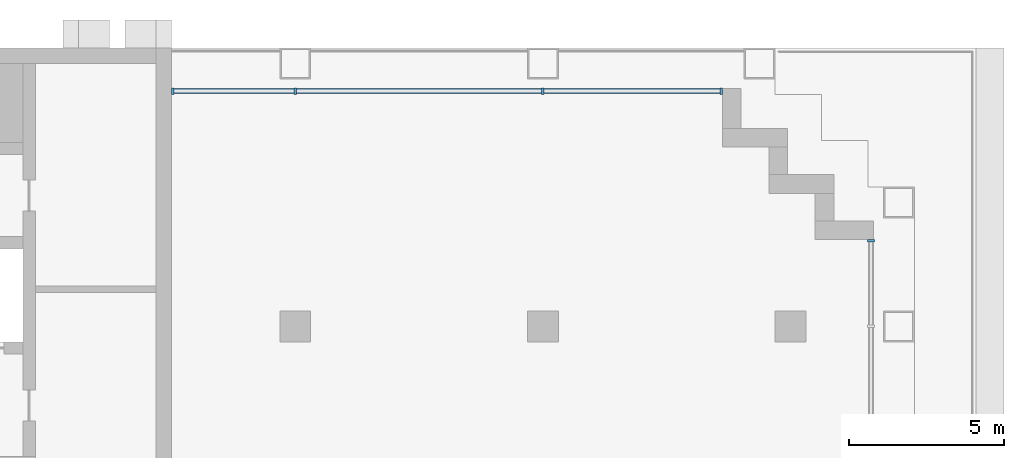
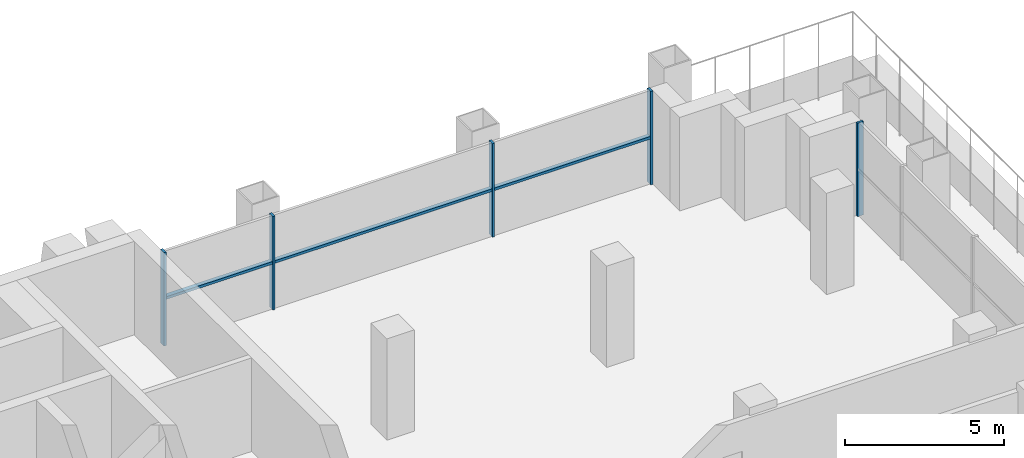
# One storey, part 7 of 16: 8 members, 2 elements without a shape of their own.
"""IFC4 building model written with IfcOpenShell, lengths in metres."""

from ifc_helpers import new_model, si_unit, direction, frame, origin, origin_2d, place, context, subcontext, project, spatial, rectangle, extrude, material, material_profile, profile_set, type_object, element, aggregate, save


model = new_model("IFC4")

# Units and contexts
model_context = context("Model", 3, precision=1e-05, world=origin(), true_north=direction((0.0, 1.0)))
body_context = subcontext(model_context, "Body", "Model", "MODEL_VIEW")
ifc_project = project(units=[si_unit("LENGTHUNIT", "METRE"), si_unit("AREAUNIT", "SQUARE_METRE"), si_unit("VOLUMEUNIT", "CUBIC_METRE"), si_unit("PLANEANGLEUNIT", "RADIAN"), si_unit("MASSUNIT", "GRAM", prefix="KILO")], contexts=[model_context])

# Site, building, storey
site_placement = place(None, origin())
site = spatial("IfcSite", under=ifc_project, at=site_placement, CompositionType="ELEMENT")
building_placement = place(site_placement, origin())
building = spatial("IfcBuilding", under=site, at=building_placement, Name="Vidyagriha Tower", CompositionType="ELEMENT")
storey_placement = place(building_placement, frame((0.0, 0.0, 26.0)))
storey = spatial("IfcBuildingStorey", under=building, at=storey_placement, Name="L06", CompositionType="ELEMENT", Elevation=26.0)

# Curtain wall, members
ifc_material_1 = material(Name="Aluminium and glass curtain wall", Category="aluminium")
curtain_wall_type = type_object("IfcCurtainWallType", Name="Plant louvre wall", PredefinedType="USERDEFINED", material=ifc_material_1)
curtain_wall_1_placement = place(storey_placement, origin())
curtain_wall_1 = element("IfcCurtainWall", 1, at=curtain_wall_1_placement, inside=storey, type_object=curtain_wall_type, Name="CW7 plant louvre wall", ObjectType="STICK GLAZING", PredefinedType="USERDEFINED")
ifc_material_2 = material(Name="Aluminium black anodised", Category="aluminium")
ifc_material_profile_1 = material_profile(ifc_material_2, rectangle(XDim=0.219970703125, YDim=0.080078125, at=origin_2d()), Name="Mullion 80x220 black aluminium")
ifc_profile_set_1 = profile_set([ifc_material_profile_1], Name="Aluminium black anodised")
member_type_1 = type_object("IfcMemberType", Name="Mullion 80x220 black aluminium", PredefinedType="MULLION", material=ifc_profile_set_1)
member_1_placement = place(storey_placement, frame((31.760009765625, 18.60009765625, 0.0), z_axis=(0.0, 0.0, 1.0), x_axis=(0.0, -1.0, 0.0)))
member_1 = element("IfcMember", 2, at=member_1_placement, type_object=member_type_1, Name="CW7 mullion 1", PredefinedType="MULLION", context=body_context, shape_type="SweptSolid", body=[
    extrude(rectangle(XDim=0.219970703125, YDim=0.080078125, at=origin_2d()), origin(), (0.0, 0.0, 1.0), 3.60009765625),
])
member_2_placement = place(storey_placement, frame((26.0, 18.60009765625, 0.0), z_axis=(0.0, 0.0, 1.0), x_axis=(0.0, -1.0, 0.0)))
member_2 = element("IfcMember", 3, at=member_2_placement, type_object=member_type_1, Name="CW7 mullion 2", PredefinedType="MULLION", context=body_context, shape_type="SweptSolid", body=[
    extrude(rectangle(XDim=0.219970703125, YDim=0.080078125, at=origin_2d()), origin(), (0.0, 0.0, 1.0), 3.60009765625),
])
member_3_placement = place(storey_placement, frame((18.0, 18.60009765625, 0.0), z_axis=(0.0, 0.0, 1.0), x_axis=(0.0, -1.0, 0.0)))
member_3 = element("IfcMember", 4, at=member_3_placement, type_object=member_type_1, Name="CW7 mullion 3", PredefinedType="MULLION", context=body_context, shape_type="SweptSolid", body=[
    extrude(rectangle(XDim=0.219970703125, YDim=0.080078125, at=origin_2d()), origin(), (0.0, 0.0, 1.0), 3.60009765625),
])
member_4_placement = place(storey_placement, frame((14.0400390625, 18.60009765625, 0.0), z_axis=(0.0, 0.0, 1.0), x_axis=(0.0, -1.0, 0.0)))
member_4 = element("IfcMember", 5, at=member_4_placement, type_object=member_type_1, Name="CW7 mullion 4", PredefinedType="MULLION", context=body_context, shape_type="SweptSolid", body=[
    extrude(rectangle(XDim=0.219970703125, YDim=0.080078125, at=origin_2d()), origin(), (0.0, 0.0, 1.0), 3.60009765625),
])

# Curtain wall, member
curtain_wall_2_placement = place(storey_placement, origin())
curtain_wall_2 = element("IfcCurtainWall", 6, at=curtain_wall_2_placement, inside=storey, type_object=curtain_wall_type, Name="CW7 plant louvre wall", ObjectType="STICK GLAZING", PredefinedType="USERDEFINED")
member_5_placement = place(storey_placement, frame((36.60009765625, 13.760009765625, 0.0), z_axis=(0.0, 0.0, 1.0), x_axis=(-1.0, 0.0, 0.0)))
member_5 = element("IfcMember", 7, at=member_5_placement, type_object=member_type_1, Name="CW7 mullion 7", PredefinedType="MULLION", context=body_context, shape_type="SweptSolid", body=[
    extrude(rectangle(XDim=0.219970703125, YDim=0.080078125, at=origin_2d()), origin(), (0.0, 0.0, 1.0), 3.60009765625),
])
aggregate(curtain_wall_2, [member_5])

# Member
ifc_material_3 = material(Name="Aluminium black anodised", Category="aluminium")
ifc_material_profile_2 = material_profile(ifc_material_3, rectangle(XDim=0.159912109375, YDim=0.10009765625, at=origin_2d()), Name="Transom 100x160 black aluminium")
ifc_profile_set_2 = profile_set([ifc_material_profile_2], Name="Aluminium black anodised")
member_type_2 = type_object("IfcMemberType", Name="Transom 100x160 black aluminium", PredefinedType="USERDEFINED", material=ifc_profile_set_2)
member_6_placement = place(storey_placement, frame((31.719970703125, 18.60009765625, 1.800048828125), z_axis=(-1.0, 0.0, 0.0), x_axis=(0.0, -1.0, 0.0)))
member_6 = element("IfcMember", 8, at=member_6_placement, type_object=member_type_2, Name="CW7 transom 1.1", ObjectType="TRANSOM", PredefinedType="USERDEFINED", context=body_context, shape_type="SweptSolid", body=[
    extrude(rectangle(XDim=0.159912109375, YDim=0.10009765625, at=origin_2d()), origin(), (0.0, 0.0, 1.0), 5.679931640625),
])

member_7_placement = place(storey_placement, frame((25.9599609375, 18.60009765625, 1.800048828125), z_axis=(-1.0, 0.0, 0.0), x_axis=(0.0, -1.0, 0.0)))
member_7 = element("IfcMember", 9, at=member_7_placement, type_object=member_type_2, Name="CW7 transom 2.1", ObjectType="TRANSOM", PredefinedType="USERDEFINED", context=body_context, shape_type="SweptSolid", body=[
    extrude(rectangle(XDim=0.159912109375, YDim=0.10009765625, at=origin_2d()), origin(), (0.0, 0.0, 1.0), 7.919921875),
])

member_8_placement = place(storey_placement, frame((17.9599609375, 18.60009765625, 1.800048828125), z_axis=(-1.0, 0.0, 0.0), x_axis=(0.0, -1.0, 0.0)))
member_8 = element("IfcMember", 10, at=member_8_placement, type_object=member_type_2, Name="CW7 transom 3.1", ObjectType="TRANSOM", PredefinedType="USERDEFINED", context=body_context, shape_type="SweptSolid", body=[
    extrude(rectangle(XDim=0.159912109375, YDim=0.10009765625, at=origin_2d()), origin(), (0.0, 0.0, 1.0), 3.8798828125),
])

aggregate(curtain_wall_1, [member_1, member_2, member_3, member_4, member_6, member_7, member_8])

save(model, "model.ifc")
